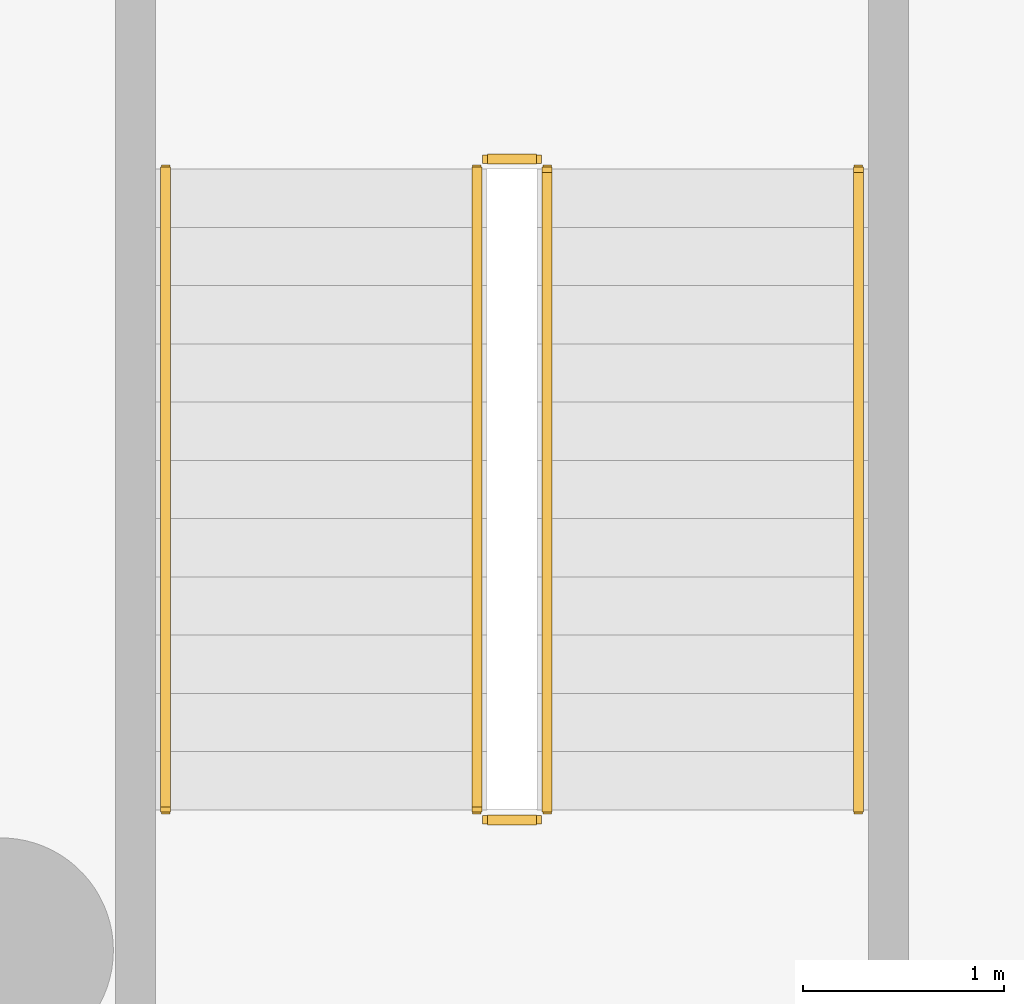
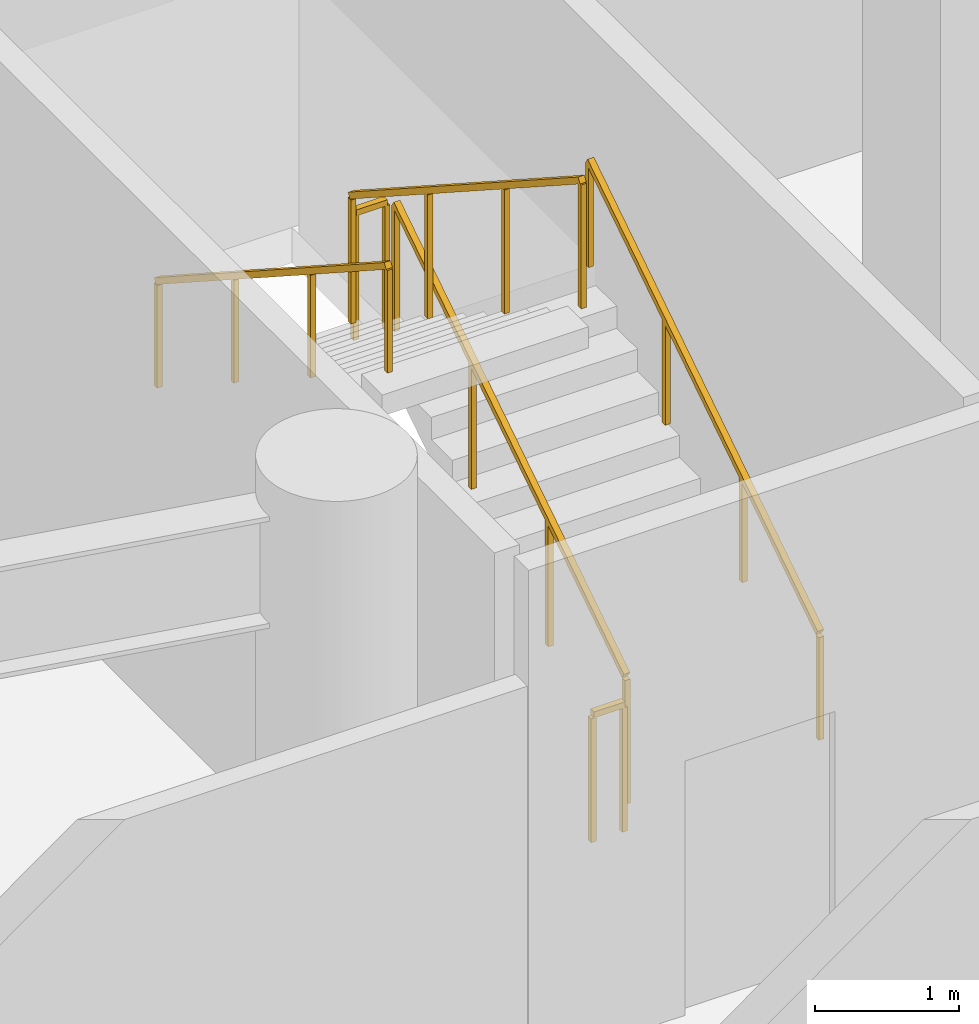
# One storey, part 21 of 21: 6 railings.
"""IFC4 building model written with IfcOpenShell, lengths in metres."""

from ifc_helpers import new_model, si_unit, derived_unit, direction, frame, origin, origin_2d, place, context, subcontext, project, spatial, rectangle, extrude, material, type_object, element, save


model = new_model("IFC4")

# Units and contexts
model_context = context("Model", 3, precision=1e-05, world=origin(), true_north=direction((0.0, 1.0)))
body_context = subcontext(model_context, "Body", "Model", "MODEL_VIEW")
ifc_project = project(units=[si_unit("LENGTHUNIT", "METRE"), si_unit("AREAUNIT", "SQUARE_METRE"), si_unit("VOLUMEUNIT", "CUBIC_METRE"), si_unit("PLANEANGLEUNIT", "RADIAN"), si_unit("MASSUNIT", "GRAM", prefix="KILO"), derived_unit("THERMALTRANSMITTANCEUNIT", [(si_unit("POWERUNIT", "WATT"), 1), (si_unit("LENGTHUNIT", "METRE"), -2), (si_unit("THERMODYNAMICTEMPERATUREUNIT", "KELVIN"), -1)])], contexts=[model_context])

# Site, building, storey
site_placement = place(None, origin())
site = spatial("IfcSite", under=ifc_project, at=site_placement, CompositionType="ELEMENT")
building_placement = place(site_placement, origin())
building = spatial("IfcBuilding", under=site, at=building_placement, Name="Koralith Skygarden Medical Center", CompositionType="ELEMENT")
storey_placement = place(building_placement, frame((0.0, 0.0, 9.89990234375)))
storey = spatial("IfcBuildingStorey", under=building, at=storey_placement, Name="L02", CompositionType="ELEMENT", Elevation=9.89990234375)

# Railings
ifc_material = material(Name="Steel ASTM A500 Grade C", Category="steel")
railing_type_1 = type_object("IfcRailingType", Name="Stair Flight Tubular Handrail 920", PredefinedType="HANDRAIL", material=ifc_material)
railing_1_placement = place(storey_placement, frame((68.64990234375, 23.199951171875, 0.1875)))
element("IfcRailing", 1, at=railing_1_placement, inside=storey, type_object=railing_type_1, Name="L02 ST5 stair handrail 1", PredefinedType="HANDRAIL", context=body_context, shape_type="SweptSolid", body=[
    extrude(rectangle(XDim=0.050048828125, YDim=0.050048828125, at=origin_2d()), frame((0.0, 0.001708984375, 0.89599609375), z_axis=(0.0, 0.839759782654, 0.542958108362), x_axis=(-1.0, 0.0, 0.0)), (0.0, 0.0, 1.0), 3.794677734375),
    extrude(rectangle(XDim=0.0419921875, YDim=0.0419921875, at=origin_2d()), origin(), (0.0, 0.0, 1.0), 0.867919921875),
    extrude(rectangle(XDim=0.0419921875, YDim=0.0419921875, at=origin_2d()), frame((0.0, 1.063232421875, 0.6875)), (0.0, 0.0, 1.0), 0.867919921875),
    extrude(rectangle(XDim=0.0419921875, YDim=0.0419921875, at=origin_2d()), frame((0.0, 2.126708984375, 1.375)), (0.0, 0.0, 1.0), 0.867919921875),
    extrude(rectangle(XDim=0.0419921875, YDim=0.0419921875, at=origin_2d()), frame((0.0, 3.18994140625, 2.0625)), (0.0, 0.0, 1.0), 0.867919921875),
])
railing_2_placement = place(storey_placement, frame((65.199951171875, 26.389892578125, 2.4375)))
element("IfcRailing", 2, at=railing_2_placement, inside=storey, type_object=railing_type_1, Name="L02 ST5 stair handrail 2", PredefinedType="HANDRAIL", context=body_context, shape_type="SweptSolid", body=[
    extrude(rectangle(XDim=0.050048828125, YDim=0.050048828125, at=origin_2d()), frame((0.0, -0.001708984375, 0.89599609375), z_axis=(0.0, -0.839759782654, 0.542958108362), x_axis=(1.0, 0.0, 0.0)), (0.0, 0.0, 1.0), 3.794677734375),
    extrude(rectangle(XDim=0.0419921875, YDim=0.0419921875, at=origin_2d()), origin(), (0.0, 0.0, 1.0), 0.867919921875),
    extrude(rectangle(XDim=0.0419921875, YDim=0.0419921875, at=origin_2d()), frame((0.0, -1.063232421875, 0.6875)), (0.0, 0.0, 1.0), 0.867919921875),
    extrude(rectangle(XDim=0.0419921875, YDim=0.0419921875, at=origin_2d()), frame((0.0, -2.126708984375, 1.375)), (0.0, 0.0, 1.0), 0.867919921875),
    extrude(rectangle(XDim=0.0419921875, YDim=0.0419921875, at=origin_2d()), frame((0.0, -3.18994140625, 2.0625)), (0.0, 0.0, 1.0), 0.867919921875),
])
railing_type_2 = type_object("IfcRailingType", Name="Stair Well Safety Guardrail 1100", PredefinedType="GUARDRAIL", material=ifc_material)
railing_3_placement = place(storey_placement, frame((67.10009765625, 23.199951171875, 0.1875)))
element("IfcRailing", 3, at=railing_3_placement, inside=storey, type_object=railing_type_2, Name="L02 ST5 stair guard 1", PredefinedType="GUARDRAIL", context=body_context, shape_type="SweptSolid", body=[
    extrude(rectangle(XDim=0.050048828125, YDim=0.050048828125, at=origin_2d()), frame((0.0, 0.001708984375, 1.076171875), z_axis=(0.0, 0.839759782654, 0.542958108362), x_axis=(-1.0, 0.0, 0.0)), (0.0, 0.0, 1.0), 3.794677734375),
    extrude(rectangle(XDim=0.0419921875, YDim=0.0419921875, at=origin_2d()), origin(), (0.0, 0.0, 1.0), 1.048095703125),
    extrude(rectangle(XDim=0.0419921875, YDim=0.0419921875, at=origin_2d()), frame((0.0, 1.063232421875, 0.6875)), (0.0, 0.0, 1.0), 1.048095703125),
    extrude(rectangle(XDim=0.0419921875, YDim=0.0419921875, at=origin_2d()), frame((0.0, 2.126708984375, 1.375)), (0.0, 0.0, 1.0), 1.048095703125),
    extrude(rectangle(XDim=0.0419921875, YDim=0.0419921875, at=origin_2d()), frame((0.0, 3.18994140625, 2.0625)), (0.0, 0.0, 1.0), 1.048095703125),
])
railing_4_placement = place(storey_placement, frame((67.050048828125, 26.43994140625, 2.25)))
element("IfcRailing", 4, at=railing_4_placement, inside=storey, type_object=railing_type_2, Name="L02 ST5 stair guard 2", PredefinedType="GUARDRAIL", context=body_context, shape_type="SweptSolid", body=[
    extrude(rectangle(XDim=0.050048828125, YDim=0.050048828125, at=origin_2d()), frame((-0.001953125, 0.0, 1.0751953125), z_axis=(-1.0, 0.0, 0.0), x_axis=(0.0, -1.0, 0.0)), (0.0, 0.0, 1.0), 0.24609375),
    extrude(rectangle(XDim=0.0419921875, YDim=0.0419921875, at=origin_2d()), origin(), (0.0, 0.0, 1.0), 1.048095703125),
    extrude(rectangle(XDim=0.0419921875, YDim=0.0419921875, at=origin_2d()), frame((-0.25, 0.0, 0.0)), (0.0, 0.0, 1.0), 1.048095703125),
])
railing_5_placement = place(storey_placement, frame((66.75, 26.389892578125, 2.4375)))
element("IfcRailing", 5, at=railing_5_placement, inside=storey, type_object=railing_type_2, Name="L02 ST5 stair guard 3", PredefinedType="GUARDRAIL", context=body_context, shape_type="SweptSolid", body=[
    extrude(rectangle(XDim=0.050048828125, YDim=0.050048828125, at=origin_2d()), frame((0.0, -0.001708984375, 1.076171875), z_axis=(0.0, -0.839759782654, 0.542958108362), x_axis=(1.0, 0.0, 0.0)), (0.0, 0.0, 1.0), 3.794677734375),
    extrude(rectangle(XDim=0.0419921875, YDim=0.0419921875, at=origin_2d()), origin(), (0.0, 0.0, 1.0), 1.048095703125),
    extrude(rectangle(XDim=0.0419921875, YDim=0.0419921875, at=origin_2d()), frame((0.0, -1.063232421875, 0.6875)), (0.0, 0.0, 1.0), 1.048095703125),
    extrude(rectangle(XDim=0.0419921875, YDim=0.0419921875, at=origin_2d()), frame((0.0, -2.126708984375, 1.375)), (0.0, 0.0, 1.0), 1.048095703125),
    extrude(rectangle(XDim=0.0419921875, YDim=0.0419921875, at=origin_2d()), frame((0.0, -3.18994140625, 2.0625)), (0.0, 0.0, 1.0), 1.048095703125),
])
railing_6_placement = place(storey_placement, frame((67.050048828125, 23.14990234375, 0.0)))
element("IfcRailing", 6, at=railing_6_placement, inside=storey, type_object=railing_type_2, Name="L02 ST5 stair guard 4", PredefinedType="GUARDRAIL", context=body_context, shape_type="SweptSolid", body=[
    extrude(rectangle(XDim=0.050048828125, YDim=0.050048828125, at=origin_2d()), frame((-0.001953125, 0.0, 1.0751953125), z_axis=(-1.0, 0.0, 0.0), x_axis=(0.0, -1.0, 0.0)), (0.0, 0.0, 1.0), 0.24609375),
    extrude(rectangle(XDim=0.0419921875, YDim=0.0419921875, at=origin_2d()), origin(), (0.0, 0.0, 1.0), 1.048095703125),
    extrude(rectangle(XDim=0.0419921875, YDim=0.0419921875, at=origin_2d()), frame((-0.25, 0.0, 0.0)), (0.0, 0.0, 1.0), 1.048095703125),
])

save(model, "model.ifc")
